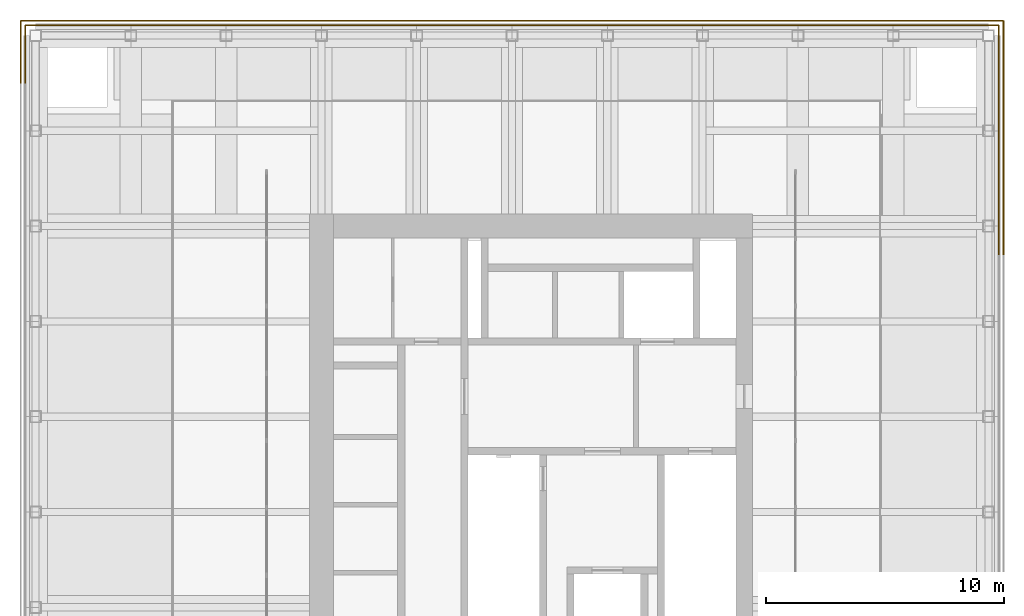
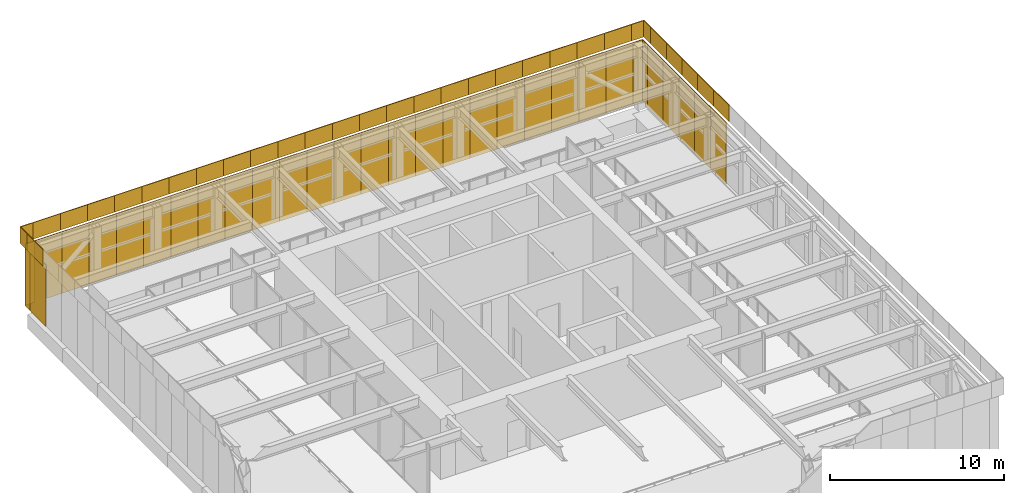
# One storey, part 10 of 11: 32 coverings, 32 shading devices.
"""IFC4 building model written with IfcOpenShell, lengths in metres."""

from ifc_helpers import new_model, si_unit, direction, frame, origin, origin_2d, place, context, subcontext, project, spatial, rectangle, extrude, material, layer, layer_set, type_object, element, save


model = new_model("IFC4")

# Units and contexts
model_context = context("Model", 3, precision=1e-05, world=origin(), true_north=direction((0.0, 1.0)))
body_context = subcontext(model_context, "Body", "Model", "MODEL_VIEW")
ifc_project = project(units=[si_unit("LENGTHUNIT", "METRE"), si_unit("AREAUNIT", "SQUARE_METRE"), si_unit("VOLUMEUNIT", "CUBIC_METRE"), si_unit("PLANEANGLEUNIT", "RADIAN"), si_unit("MASSUNIT", "GRAM", prefix="KILO")], contexts=[model_context])

# Site, building, storey
site_placement = place(None, origin())
site = spatial("IfcSite", under=ifc_project, at=site_placement, CompositionType="ELEMENT")
building_placement = place(site_placement, origin())
building = spatial("IfcBuilding", under=site, at=building_placement, Name="Rimbunsela Tower", CompositionType="ELEMENT")
storey_placement = place(building_placement, frame((0.0, 0.0, 304.199951171875)))
storey = spatial("IfcBuildingStorey", under=building, at=storey_placement, Name="RF", CompositionType="ELEMENT", Elevation=304.199951171875)

# Coverings
ifc_material_1 = material(Name="Solid aluminium panel", Category="aluminium")
ifc_layer_1 = layer(ifc_material_1, 0.050048828125)
ifc_layer_set_1 = layer_set([ifc_layer_1], Name="Crown fascia closer 825")
covering_type_1 = type_object("IfcCoveringType", Name="Crown fascia closer 825", PredefinedType="CLADDING", material=ifc_layer_set_1)
for number, where, z_axis, x_axis, name in (
    (1, (46.625, 44.21240234375, 4.35009765625), (0.0, 0.0, 1.0), (0.0, 1.0, 0.0), "Crown fascia E RF"),
    (2, (46.21240234375, 44.625, 4.35009765625), (0.0, 0.0, 1.0), (1.0, 0.0, 0.0), "Crown fascia N RF"),
    (3, (5.78759765625, 44.625, 4.35009765625), (0.0, 0.0, 1.0), (1.0, 0.0, 0.0), "Crown fascia N RF"),
    (4, (5.375, 44.21240234375, 4.35009765625), (0.0, 0.0, 1.0), (0.0, 1.0, 0.0), "Crown fascia W RF"),
):
    element("IfcCovering", number, at=place(storey_placement, frame(where, z_axis=z_axis, x_axis=x_axis)), inside=storey, type_object=covering_type_1, Name=name, PredefinedType="CLADDING", context=body_context, shape_type="SweptSolid", body=[
        extrude(rectangle(XDim=0.824951171875, YDim=0.050048828125, at=origin_2d()), origin(), (0.0, 0.0, 1.0), 1.14990234375),
    ])
ifc_material_2 = material(Name="Solid aluminium panel", Category="aluminium")
ifc_layer_2 = layer(ifc_material_2, 0.050048828125)
ifc_layer_set_2 = layer_set([ifc_layer_2], Name="Crown fascia panel 1800")
covering_type_2 = type_object("IfcCoveringType", Name="Crown fascia panel 1800", PredefinedType="CLADDING", material=ifc_layer_set_2)
for number, where, z_axis, x_axis, name in (
    (5, (46.625, 35.699951171875, 4.35009765625), (0.0, 0.0, 1.0), (0.0, 1.0, 0.0), "Crown fascia E RF"),
    (6, (46.625, 37.5, 4.35009765625), (0.0, 0.0, 1.0), (0.0, 1.0, 0.0), "Crown fascia E RF"),
    (7, (46.625, 39.300048828125, 4.35009765625), (0.0, 0.0, 1.0), (0.0, 1.0, 0.0), "Crown fascia E RF"),
    (8, (46.625, 41.10009765625, 4.35009765625), (0.0, 0.0, 1.0), (0.0, 1.0, 0.0), "Crown fascia E RF"),
    (9, (46.625, 42.89990234375, 4.35009765625), (0.0, 0.0, 1.0), (0.0, 1.0, 0.0), "Crown fascia E RF"),
    (10, (44.89990234375, 44.625, 4.35009765625), (0.0, 0.0, 1.0), (1.0, 0.0, 0.0), "Crown fascia N RF"),
    (11, (43.10009765625, 44.625, 4.35009765625), (0.0, 0.0, 1.0), (1.0, 0.0, 0.0), "Crown fascia N RF"),
    (12, (41.300048828125, 44.625, 4.35009765625), (0.0, 0.0, 1.0), (1.0, 0.0, 0.0), "Crown fascia N RF"),
    (13, (39.5, 44.625, 4.35009765625), (0.0, 0.0, 1.0), (1.0, 0.0, 0.0), "Crown fascia N RF"),
    (14, (37.699951171875, 44.625, 4.35009765625), (0.0, 0.0, 1.0), (1.0, 0.0, 0.0), "Crown fascia N RF"),
    (15, (35.89990234375, 44.625, 4.35009765625), (0.0, 0.0, 1.0), (1.0, 0.0, 0.0), "Crown fascia N RF"),
    (16, (34.10009765625, 44.625, 4.35009765625), (0.0, 0.0, 1.0), (1.0, 0.0, 0.0), "Crown fascia N RF"),
    (17, (32.300048828125, 44.625, 4.35009765625), (0.0, 0.0, 1.0), (1.0, 0.0, 0.0), "Crown fascia N RF"),
    (18, (30.5, 44.625, 4.35009765625), (0.0, 0.0, 1.0), (1.0, 0.0, 0.0), "Crown fascia N RF"),
    (19, (28.699951171875, 44.625, 4.35009765625), (0.0, 0.0, 1.0), (1.0, 0.0, 0.0), "Crown fascia N RF"),
    (20, (26.89990234375, 44.625, 4.35009765625), (0.0, 0.0, 1.0), (1.0, 0.0, 0.0), "Crown fascia N RF"),
    (21, (25.10009765625, 44.625, 4.35009765625), (0.0, 0.0, 1.0), (1.0, 0.0, 0.0), "Crown fascia N RF"),
    (22, (23.300048828125, 44.625, 4.35009765625), (0.0, 0.0, 1.0), (1.0, 0.0, 0.0), "Crown fascia N RF"),
    (23, (21.5, 44.625, 4.35009765625), (0.0, 0.0, 1.0), (1.0, 0.0, 0.0), "Crown fascia N RF"),
    (24, (19.699951171875, 44.625, 4.35009765625), (0.0, 0.0, 1.0), (1.0, 0.0, 0.0), "Crown fascia N RF"),
    (25, (17.89990234375, 44.625, 4.35009765625), (0.0, 0.0, 1.0), (1.0, 0.0, 0.0), "Crown fascia N RF"),
    (26, (16.10009765625, 44.625, 4.35009765625), (0.0, 0.0, 1.0), (1.0, 0.0, 0.0), "Crown fascia N RF"),
    (27, (14.300048828125, 44.625, 4.35009765625), (0.0, 0.0, 1.0), (1.0, 0.0, 0.0), "Crown fascia N RF"),
    (28, (12.5, 44.625, 4.35009765625), (0.0, 0.0, 1.0), (1.0, 0.0, 0.0), "Crown fascia N RF"),
    (29, (10.699951171875, 44.625, 4.35009765625), (0.0, 0.0, 1.0), (1.0, 0.0, 0.0), "Crown fascia N RF"),
    (30, (8.89990234375, 44.625, 4.35009765625), (0.0, 0.0, 1.0), (1.0, 0.0, 0.0), "Crown fascia N RF"),
    (31, (7.10009765625, 44.625, 4.35009765625), (0.0, 0.0, 1.0), (1.0, 0.0, 0.0), "Crown fascia N RF"),
    (32, (5.375, 42.89990234375, 4.35009765625), (0.0, 0.0, 1.0), (0.0, 1.0, 0.0), "Crown fascia W RF"),
):
    element("IfcCovering", number, at=place(storey_placement, frame(where, z_axis=z_axis, x_axis=x_axis)), inside=storey, type_object=covering_type_2, Name=name, PredefinedType="CLADDING", context=body_context, shape_type="SweptSolid", body=[
        extrude(rectangle(XDim=1.800048828125, YDim=0.050048828125, at=origin_2d()), origin(), (0.0, 0.0, 1.0), 1.14990234375),
    ])

# Shading devices
ifc_material_3 = material(Name="Perforated aluminium, 35 % open area", Category="aluminium")
ifc_layer_3 = layer(ifc_material_3, 0.050048828125)
ifc_layer_set_3 = layer_set([ifc_layer_3], Name="Solar screen closer 625")
shading_device_type_1 = type_object("IfcShadingDeviceType", Name="Solar screen closer 625", PredefinedType="USERDEFINED", material=ifc_layer_set_3)
for number, where, z_axis, x_axis, name in (
    (33, (46.425048828125, 44.112548828125, 0.0498046875), (0.0, 0.0, 1.0), (0.0, 1.0, 0.0), "Crown screen E RF"),
    (34, (46.112548828125, 44.425048828125, 0.0498046875), (0.0, 0.0, 1.0), (1.0, 0.0, 0.0), "Crown screen N RF"),
    (35, (5.887451171875, 44.425048828125, 0.0498046875), (0.0, 0.0, 1.0), (1.0, 0.0, 0.0), "Crown screen N RF"),
    (36, (5.574951171875, 44.112548828125, 0.0498046875), (0.0, 0.0, 1.0), (0.0, 1.0, 0.0), "Crown screen W RF"),
):
    element("IfcShadingDevice", number, at=place(storey_placement, frame(where, z_axis=z_axis, x_axis=x_axis)), inside=storey, type_object=shading_device_type_1, Name=name, ObjectType="SCREEN", PredefinedType="USERDEFINED", context=body_context, shape_type="SweptSolid", body=[
        extrude(rectangle(XDim=0.625, YDim=0.050048828125, at=origin_2d()), origin(), (0.0, 0.0, 1.0), 4.300048828125),
    ])
ifc_material_4 = material(Name="Perforated aluminium, 35 % open area", Category="aluminium")
ifc_layer_4 = layer(ifc_material_4, 0.050048828125)
ifc_layer_set_4 = layer_set([ifc_layer_4], Name="Solar screen panel 1800")
shading_device_type_2 = type_object("IfcShadingDeviceType", Name="Solar screen panel 1800", PredefinedType="USERDEFINED", material=ifc_layer_set_4)
for number, where, z_axis, x_axis, name in (
    (37, (46.425048828125, 35.699951171875, 0.0498046875), (0.0, 0.0, 1.0), (0.0, 1.0, 0.0), "Crown screen E RF"),
    (38, (46.425048828125, 37.5, 0.0498046875), (0.0, 0.0, 1.0), (0.0, 1.0, 0.0), "Crown screen E RF"),
    (39, (46.425048828125, 39.300048828125, 0.0498046875), (0.0, 0.0, 1.0), (0.0, 1.0, 0.0), "Crown screen E RF"),
    (40, (46.425048828125, 41.10009765625, 0.0498046875), (0.0, 0.0, 1.0), (0.0, 1.0, 0.0), "Crown screen E RF"),
    (41, (46.425048828125, 42.89990234375, 0.0498046875), (0.0, 0.0, 1.0), (0.0, 1.0, 0.0), "Crown screen E RF"),
    (42, (44.89990234375, 44.425048828125, 0.0498046875), (0.0, 0.0, 1.0), (1.0, 0.0, 0.0), "Crown screen N RF"),
    (43, (43.10009765625, 44.425048828125, 0.0498046875), (0.0, 0.0, 1.0), (1.0, 0.0, 0.0), "Crown screen N RF"),
    (44, (41.300048828125, 44.425048828125, 0.0498046875), (0.0, 0.0, 1.0), (1.0, 0.0, 0.0), "Crown screen N RF"),
    (45, (39.5, 44.425048828125, 0.0498046875), (0.0, 0.0, 1.0), (1.0, 0.0, 0.0), "Crown screen N RF"),
    (46, (37.699951171875, 44.425048828125, 0.0498046875), (0.0, 0.0, 1.0), (1.0, 0.0, 0.0), "Crown screen N RF"),
    (47, (35.89990234375, 44.425048828125, 0.0498046875), (0.0, 0.0, 1.0), (1.0, 0.0, 0.0), "Crown screen N RF"),
    (48, (34.10009765625, 44.425048828125, 0.0498046875), (0.0, 0.0, 1.0), (1.0, 0.0, 0.0), "Crown screen N RF"),
    (49, (32.300048828125, 44.425048828125, 0.0498046875), (0.0, 0.0, 1.0), (1.0, 0.0, 0.0), "Crown screen N RF"),
    (50, (30.5, 44.425048828125, 0.0498046875), (0.0, 0.0, 1.0), (1.0, 0.0, 0.0), "Crown screen N RF"),
    (51, (28.699951171875, 44.425048828125, 0.0498046875), (0.0, 0.0, 1.0), (1.0, 0.0, 0.0), "Crown screen N RF"),
    (52, (26.89990234375, 44.425048828125, 0.0498046875), (0.0, 0.0, 1.0), (1.0, 0.0, 0.0), "Crown screen N RF"),
    (53, (25.10009765625, 44.425048828125, 0.0498046875), (0.0, 0.0, 1.0), (1.0, 0.0, 0.0), "Crown screen N RF"),
    (54, (23.300048828125, 44.425048828125, 0.0498046875), (0.0, 0.0, 1.0), (1.0, 0.0, 0.0), "Crown screen N RF"),
    (55, (21.5, 44.425048828125, 0.0498046875), (0.0, 0.0, 1.0), (1.0, 0.0, 0.0), "Crown screen N RF"),
    (56, (19.699951171875, 44.425048828125, 0.0498046875), (0.0, 0.0, 1.0), (1.0, 0.0, 0.0), "Crown screen N RF"),
    (57, (17.89990234375, 44.425048828125, 0.0498046875), (0.0, 0.0, 1.0), (1.0, 0.0, 0.0), "Crown screen N RF"),
    (58, (16.10009765625, 44.425048828125, 0.0498046875), (0.0, 0.0, 1.0), (1.0, 0.0, 0.0), "Crown screen N RF"),
    (59, (14.300048828125, 44.425048828125, 0.0498046875), (0.0, 0.0, 1.0), (1.0, 0.0, 0.0), "Crown screen N RF"),
    (60, (12.5, 44.425048828125, 0.0498046875), (0.0, 0.0, 1.0), (1.0, 0.0, 0.0), "Crown screen N RF"),
    (61, (10.699951171875, 44.425048828125, 0.0498046875), (0.0, 0.0, 1.0), (1.0, 0.0, 0.0), "Crown screen N RF"),
    (62, (8.89990234375, 44.425048828125, 0.0498046875), (0.0, 0.0, 1.0), (1.0, 0.0, 0.0), "Crown screen N RF"),
    (63, (7.10009765625, 44.425048828125, 0.0498046875), (0.0, 0.0, 1.0), (1.0, 0.0, 0.0), "Crown screen N RF"),
    (64, (5.574951171875, 42.89990234375, 0.0498046875), (0.0, 0.0, 1.0), (0.0, 1.0, 0.0), "Crown screen W RF"),
):
    element("IfcShadingDevice", number, at=place(storey_placement, frame(where, z_axis=z_axis, x_axis=x_axis)), inside=storey, type_object=shading_device_type_2, Name=name, ObjectType="SCREEN", PredefinedType="USERDEFINED", context=body_context, shape_type="SweptSolid", body=[
        extrude(rectangle(XDim=1.800048828125, YDim=0.050048828125, at=origin_2d()), origin(), (0.0, 0.0, 1.0), 4.300048828125),
    ])

save(model, "model.ifc")
